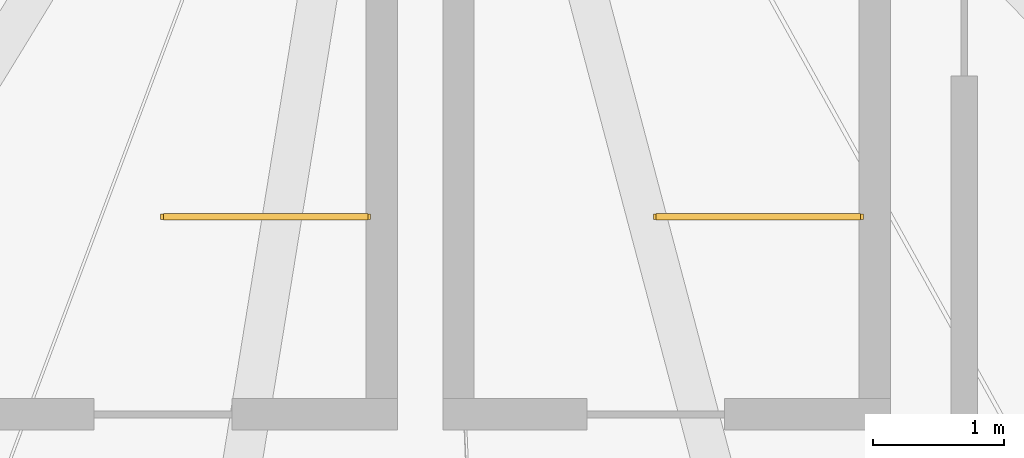
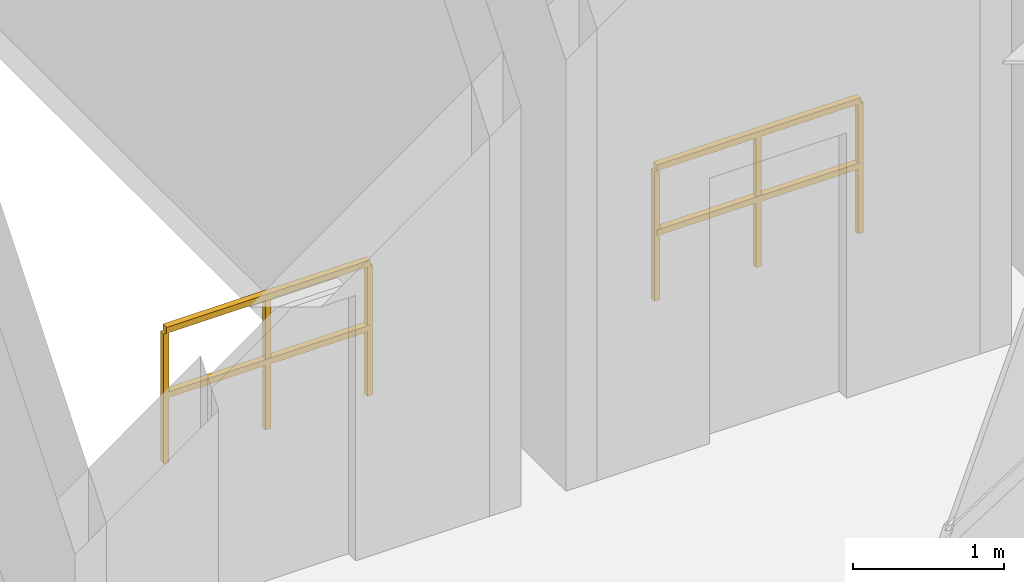
# One storey, part 8 of 8: 2 railings.
"""IFC4 building model written with IfcOpenShell, lengths in metres."""

from ifc_helpers import new_model, si_unit, direction, frame, origin, origin_2d, place, context, subcontext, project, spatial, rectangle, extrude, material, type_object, element, save


model = new_model("IFC4")

# Units and contexts
model_context = context("Model", 3, precision=1e-05, world=origin(), true_north=direction((0.0, 1.0)))
body_context = subcontext(model_context, "Body", "Model", "MODEL_VIEW")
ifc_project = project(units=[si_unit("LENGTHUNIT", "METRE"), si_unit("AREAUNIT", "SQUARE_METRE"), si_unit("VOLUMEUNIT", "CUBIC_METRE"), si_unit("PLANEANGLEUNIT", "RADIAN"), si_unit("MASSUNIT", "GRAM", prefix="KILO"), si_unit("THERMODYNAMICTEMPERATUREUNIT", "KELVIN"), si_unit("POWERUNIT", "WATT")], contexts=[model_context])

# Site, building, storey
site_placement = place(None, origin())
site = spatial("IfcSite", under=ifc_project, at=site_placement, CompositionType="ELEMENT")
building_placement = place(site_placement, origin())
building = spatial("IfcBuilding", under=site, at=building_placement, Name="Ocrelia Relay Tower", CompositionType="ELEMENT")
storey_placement = place(building_placement, frame((0.0, 0.0, 308.0)))
storey = spatial("IfcBuildingStorey", under=building, at=storey_placement, Name="L77", CompositionType="ELEMENT", Elevation=308.0)

# Railings
ifc_material = material(Name="Steel S355 balustrade", Category="steel")
railing_type = type_object("IfcRailingType", Name="RL-STAIR-GUARD", PredefinedType="GUARDRAIL", material=ifc_material)
for number, where, name in (
    (1, (33.60009765625, 20.60009765625, 0.0), "L77 ST4 top well guard 1"),
    (2, (37.360107421875, 20.60009765625, 0.0), "L77 ST5 top well guard 1"),
):
    element("IfcRailing", number, at=place(storey_placement, frame(where)), inside=storey, type_object=railing_type, Name=name, PredefinedType="GUARDRAIL", context=body_context, shape_type="SweptSolid", body=[
        extrude(rectangle(XDim=0.048095703125, YDim=0.048095703125, at=origin_2d()), frame((0.0, 0.0, 1.076171875), z_axis=(-1.0, 0.0, 0.0), x_axis=(0.0, -1.0, 0.0)), (0.0, 0.0, 1.0), 1.56005859375),
        extrude(rectangle(XDim=0.048095703125, YDim=0.048095703125, at=origin_2d()), frame((0.0, 0.0, 0.550048828125), z_axis=(-1.0, 0.0, 0.0), x_axis=(0.0, -1.0, 0.0)), (0.0, 0.0, 1.0), 1.56005859375),
        extrude(rectangle(XDim=0.0419921875, YDim=0.0419921875, at=origin_2d()), origin(), (0.0, 0.0, 1.0), 1.052001953125),
        extrude(rectangle(XDim=0.0419921875, YDim=0.0419921875, at=origin_2d()), frame((-0.780029296875, 0.0, 0.0)), (0.0, 0.0, 1.0), 1.052001953125),
        extrude(rectangle(XDim=0.0419921875, YDim=0.0419921875, at=origin_2d()), frame((-1.56005859375, 0.0, 0.0)), (0.0, 0.0, 1.0), 1.052001953125),
    ])

save(model, "model.ifc")
